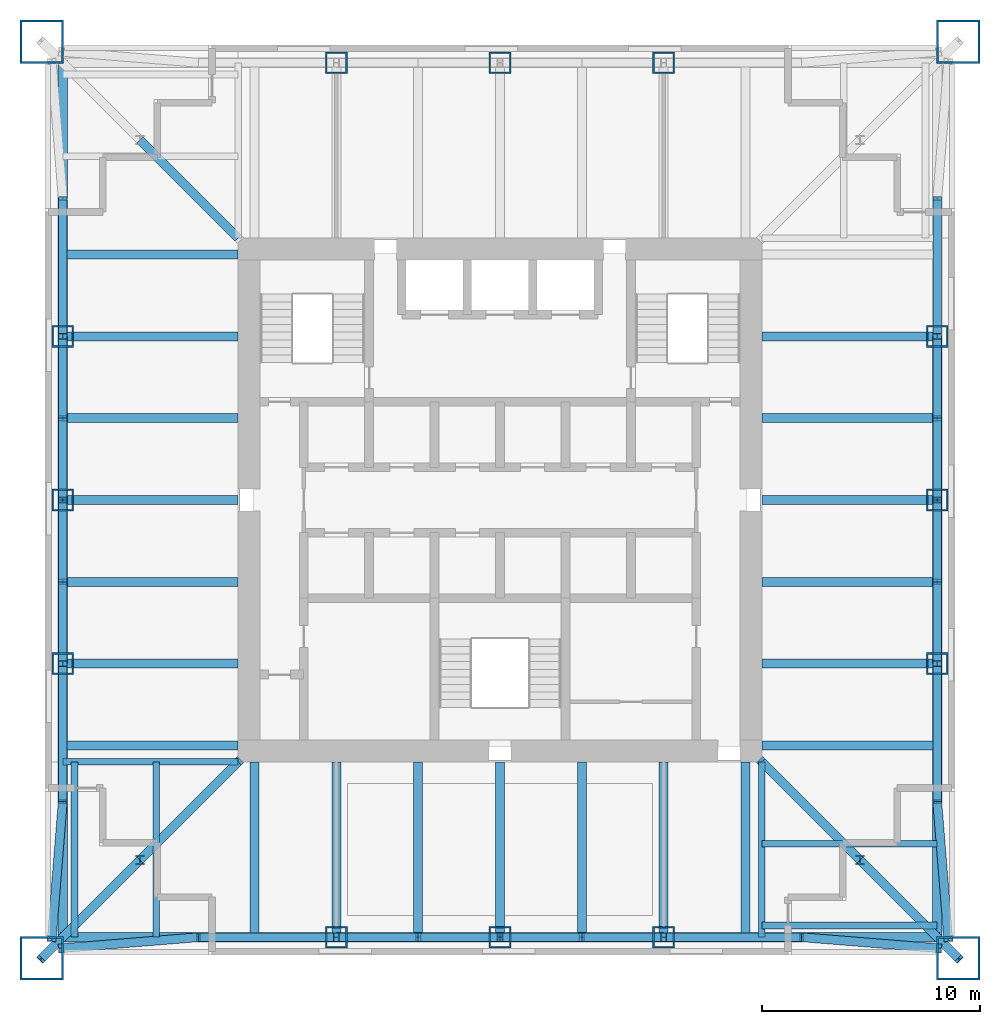
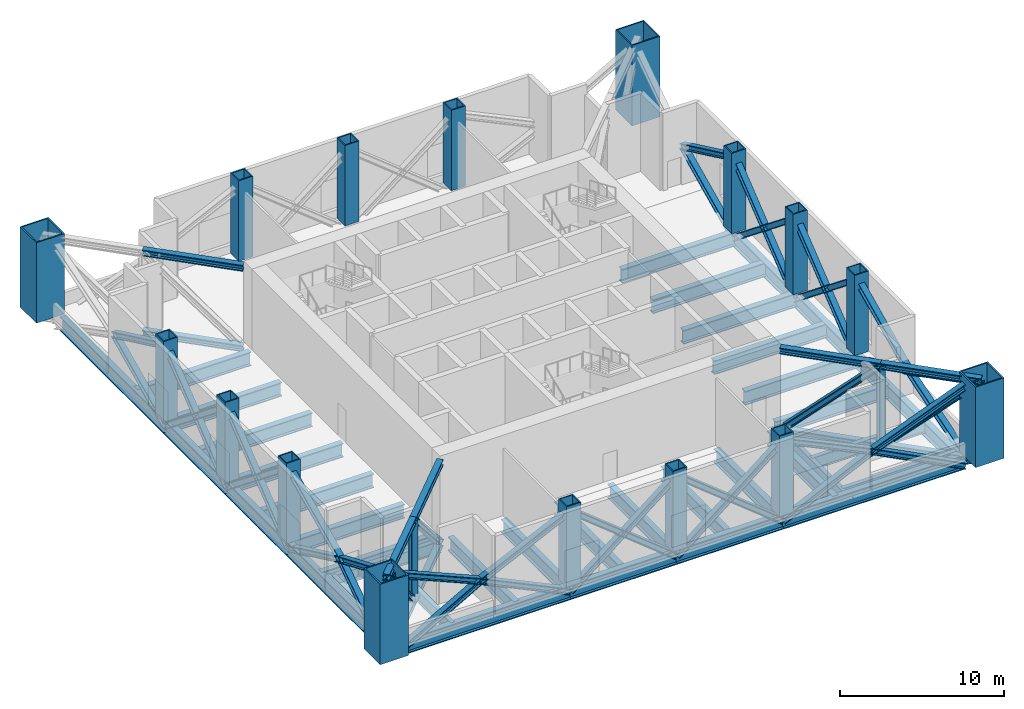
# One storey, part 1 of 7: 60 members, 37 beams, 16 columns.
"""IFC4 building model written with IfcOpenShell, lengths in metres."""

from ifc_helpers import new_model, si_unit, direction, frame, origin, origin_2d, place, context, subcontext, project, spatial, hollow_rectangle, i_section, extrude, material, material_profile, profile_set, type_object, element, save


model = new_model("IFC4")

# Units and contexts
model_context = context("Model", 3, precision=1e-05, world=origin(), true_north=direction((0.0, 1.0)))
body_context = subcontext(model_context, "Body", "Model", "MODEL_VIEW")
ifc_project = project(units=[si_unit("LENGTHUNIT", "METRE"), si_unit("AREAUNIT", "SQUARE_METRE"), si_unit("VOLUMEUNIT", "CUBIC_METRE"), si_unit("PLANEANGLEUNIT", "RADIAN"), si_unit("MASSUNIT", "GRAM", prefix="KILO")], contexts=[model_context])

# Site, building, storey
site_placement = place(None, origin())
site = spatial("IfcSite", under=ifc_project, at=site_placement, CompositionType="ELEMENT")
building_placement = place(site_placement, origin())
building = spatial("IfcBuilding", under=site, at=building_placement, Name="Tarangal Relay Tower", CompositionType="ELEMENT")
storey_placement = place(building_placement, frame((0.0, 0.0, 335.89990234375)))
storey = spatial("IfcBuildingStorey", under=building, at=storey_placement, Name="L75", CompositionType="ELEMENT", Elevation=335.89990234375)

# Columns
ifc_material_1 = material(Name="Steel ASTM A572 Grade 50", Category="steel")
ifc_material_profile_1 = material_profile(ifc_material_1, hollow_rectangle(XDim=2.0, YDim=2.0, WallThickness=0.094970703125, at=origin_2d()), Name="BOX2000X2000X95")
ifc_profile_set_1 = profile_set([ifc_material_profile_1], Name="Steel ASTM A572 Grade 50")
column_type_1 = type_object("IfcColumnType", Name="Mega column BOX2000X2000X95", PredefinedType="COLUMN", material=ifc_profile_set_1)
for number, where, z_axis, x_axis, name in (
    (1, (21.0, 21.0, 0.0), (0.0, 0.0, 1.0), (1.0, 0.0, 0.0), "Mega column MC4 NE L75"),
    (2, (21.0, -21.0, 0.0), (0.0, 0.0, 1.0), (1.0, 0.0, 0.0), "Mega column MC4 SE L75"),
    (3, (-21.0, -21.0, 0.0), (0.0, 0.0, 1.0), (1.0, 0.0, 0.0), "Mega column MC4 SW L75"),
    (4, (-21.0, 21.0, 0.0), (0.0, 0.0, 1.0), (1.0, 0.0, 0.0), "Mega column MC4 NW L75"),
):
    element("IfcColumn", number, at=place(storey_placement, frame(where, z_axis=z_axis, x_axis=x_axis)), inside=storey, type_object=column_type_1, Name=name, PredefinedType="COLUMN", context=body_context, shape_type="SweptSolid", body=[
        extrude(hollow_rectangle(XDim=2.0, YDim=2.0, WallThickness=0.094970703125, at=origin_2d()), origin(), (0.0, 0.0, 1.0), 6.0),
    ])
ifc_material_profile_2 = material_profile(ifc_material_1, hollow_rectangle(XDim=1.0, YDim=1.0, WallThickness=0.074951171875, at=origin_2d()), Name="BOX1000X1000X75")
ifc_profile_set_2 = profile_set([ifc_material_profile_2], Name="Steel ASTM A572 Grade 50")
column_type_2 = type_object("IfcColumnType", Name="Perimeter column BOX1000X1000X75", PredefinedType="COLUMN", material=ifc_profile_set_2)
for number, where, z_axis, x_axis, name in (
    (5, (-7.5, 20.0400390625, 0.0), (0.0, 0.0, 1.0), (1.0, 0.0, 0.0), "Perimeter column PC5 N L75"),
    (6, (0.0, 20.0400390625, 0.0), (0.0, 0.0, 1.0), (1.0, 0.0, 0.0), "Perimeter column PC5 N L75"),
    (7, (7.5, 20.0400390625, 0.0), (0.0, 0.0, 1.0), (1.0, 0.0, 0.0), "Perimeter column PC5 N L75"),
    (8, (20.0400390625, 7.5, 0.0), (0.0, 0.0, 1.0), (1.0, 0.0, 0.0), "Perimeter column PC5 E L75"),
    (9, (20.0400390625, 0.0, 0.0), (0.0, 0.0, 1.0), (1.0, 0.0, 0.0), "Perimeter column PC5 E L75"),
    (10, (20.0400390625, -7.5, 0.0), (0.0, 0.0, 1.0), (1.0, 0.0, 0.0), "Perimeter column PC5 E L75"),
    (11, (7.5, -20.0400390625, 0.0), (0.0, 0.0, 1.0), (1.0, 0.0, 0.0), "Perimeter column PC5 S L75"),
    (12, (0.0, -20.0400390625, 0.0), (0.0, 0.0, 1.0), (1.0, 0.0, 0.0), "Perimeter column PC5 S L75"),
    (13, (-7.5, -20.0400390625, 0.0), (0.0, 0.0, 1.0), (1.0, 0.0, 0.0), "Perimeter column PC5 S L75"),
    (14, (-20.0400390625, -7.5, 0.0), (0.0, 0.0, 1.0), (1.0, 0.0, 0.0), "Perimeter column PC5 W L75"),
    (15, (-20.0400390625, 0.0, 0.0), (0.0, 0.0, 1.0), (1.0, 0.0, 0.0), "Perimeter column PC5 W L75"),
    (16, (-20.0400390625, 7.5, 0.0), (0.0, 0.0, 1.0), (1.0, 0.0, 0.0), "Perimeter column PC5 W L75"),
):
    element("IfcColumn", number, at=place(storey_placement, frame(where, z_axis=z_axis, x_axis=x_axis)), inside=storey, type_object=column_type_2, Name=name, PredefinedType="COLUMN", context=body_context, shape_type="SweptSolid", body=[
        extrude(hollow_rectangle(XDim=1.0, YDim=1.0, WallThickness=0.074951171875, at=origin_2d()), origin(), (0.0, 0.0, 1.0), 6.0),
    ])

# Members
ifc_material_2 = material(Name="Steel ASTM A992", Category="steel")
ifc_material_profile_3 = material_profile(ifc_material_2, i_section(OverallWidth=0.408935546875, OverallDepth=0.42431640625, WebThickness=0.03271484375, FlangeThickness=0.052490234375, at=origin_2d()), Name="W14X283")
ifc_profile_set_3 = profile_set([ifc_material_profile_3], Name="Steel ASTM A992")
member_type_1 = type_object("IfcMemberType", Name="Belt truss brace W14X283", PredefinedType="BRACE", material=ifc_profile_set_3)
for number, where, z_axis, x_axis, name in (
    (17, (20.0400390625, 13.824951171875, 2.265380859375), (0.0, -0.903518288884, 0.42854953232), (1.0, 0.0, 0.0), "Belt truss BT4 E L75"),
    (18, (20.0400390625, 7.5, -0.734619140625), (0.0, 0.903518288884, 0.42854953232), (-1.0, 0.0, 0.0), "Belt truss BT4 E L75"),
):
    element("IfcMember", number, at=place(storey_placement, frame(where, z_axis=z_axis, x_axis=x_axis)), inside=storey, type_object=member_type_1, Name=name, PredefinedType="BRACE", context=body_context, shape_type="SweptSolid", body=[
        extrude(i_section(OverallWidth=0.408935546875, OverallDepth=0.42431640625, WebThickness=0.03271484375, FlangeThickness=0.052490234375, at=origin_2d()), origin(), (0.0, 0.0, 1.0), 7.000244140625),
    ])
for number, where, z_axis, x_axis, name in (
    (19, (20.0400390625, 7.5, -0.734619140625), (0.0, -0.780868809443, 0.624695047554), (1.0, 0.0, 0.0), "Belt truss BT4 E L75"),
    (20, (20.0400390625, 3.75, 2.265380859375), (0.0, -0.780868809443, 0.624695047554), (1.0, 0.0, 0.0), "Belt truss BT4 E L75"),
    (21, (20.0400390625, 0.0, -0.734619140625), (0.0, 0.780868809443, 0.624695047554), (-1.0, 0.0, 0.0), "Belt truss BT4 E L75"),
    (22, (20.0400390625, 3.75, 2.265380859375), (0.0, 0.780868809443, 0.624695047554), (-1.0, 0.0, 0.0), "Belt truss BT4 E L75"),
    (23, (20.0400390625, 0.0, -0.734619140625), (0.0, -0.780868809443, 0.624695047554), (1.0, 0.0, 0.0), "Belt truss BT4 E L75"),
    (24, (20.0400390625, -3.75, 2.265380859375), (0.0, -0.780868809443, 0.624695047554), (1.0, 0.0, 0.0), "Belt truss BT4 E L75"),
    (25, (20.0400390625, -7.5, -0.734619140625), (0.0, 0.780868809443, 0.624695047554), (-1.0, 0.0, 0.0), "Belt truss BT4 E L75"),
    (26, (20.0400390625, -3.75, 2.265380859375), (0.0, 0.780868809443, 0.624695047554), (-1.0, 0.0, 0.0), "Belt truss BT4 E L75"),
):
    element("IfcMember", number, at=place(storey_placement, frame(where, z_axis=z_axis, x_axis=x_axis)), inside=storey, type_object=member_type_1, Name=name, PredefinedType="BRACE", context=body_context, shape_type="SweptSolid", body=[
        extrude(i_section(OverallWidth=0.408935546875, OverallDepth=0.42431640625, WebThickness=0.03271484375, FlangeThickness=0.052490234375, at=origin_2d()), origin(), (0.0, 0.0, 1.0), 4.80224609375),
    ])
member_1_placement = place(storey_placement, frame((20.0400390625, -7.5, -0.734619140625), z_axis=(0.0, -0.903518288884, 0.42854953232), x_axis=(1.0, 0.0, 0.0)))
element("IfcMember", 27, at=member_1_placement, inside=storey, type_object=member_type_1, Name="Belt truss BT4 E L75", PredefinedType="BRACE", context=body_context, shape_type="SweptSolid", body=[
    extrude(i_section(OverallWidth=0.408935546875, OverallDepth=0.42431640625, WebThickness=0.03271484375, FlangeThickness=0.052490234375, at=origin_2d()), origin(), (0.0, 0.0, 1.0), 7.000244140625),
])
for number, where, z_axis, x_axis, name in (
    (28, (20.0400390625, -13.824951171875, 2.265380859375), (0.072662231551, -0.901129934321, 0.427416707181), (0.996764800227, 0.08037370856, 0.0), "Belt truss BT4 E L75"),
    (29, (20.550048828125, -20.14990234375, -0.734619140625), (-0.072662231551, 0.901129934321, 0.427416707181), (-0.996764800227, -0.08037370856, 0.0), "Belt truss BT4 E L75"),
):
    element("IfcMember", number, at=place(storey_placement, frame(where, z_axis=z_axis, x_axis=x_axis)), inside=storey, type_object=member_type_1, Name=name, PredefinedType="BRACE", context=body_context, shape_type="SweptSolid", body=[
        extrude(i_section(OverallWidth=0.408935546875, OverallDepth=0.42431640625, WebThickness=0.03271484375, FlangeThickness=0.052490234375, at=origin_2d()), origin(), (0.0, 0.0, 1.0), 7.018798828125),
    ])
member_2_placement = place(storey_placement, frame((20.0400390625, -13.824951171875, 2.265380859375), z_axis=(0.0, 0.903518288884, 0.42854953232), x_axis=(-1.0, 0.0, 0.0)))
element("IfcMember", 30, at=member_2_placement, inside=storey, type_object=member_type_1, Name="Belt truss BT4 E L75", PredefinedType="BRACE", context=body_context, shape_type="SweptSolid", body=[
    extrude(i_section(OverallWidth=0.408935546875, OverallDepth=0.42431640625, WebThickness=0.03271484375, FlangeThickness=0.052490234375, at=origin_2d()), origin(), (0.0, 0.0, 1.0), 7.000244140625),
])
member_3_placement = place(storey_placement, frame((20.14990234375, -20.550048828125, -0.734619140625), z_axis=(-0.901129934321, 0.072662231551, 0.427416707181), x_axis=(-0.08037370856, -0.996764800227, 0.0)))
element("IfcMember", 31, at=member_3_placement, inside=storey, type_object=member_type_1, Name="Belt truss BT4 S L75", PredefinedType="BRACE", context=body_context, shape_type="SweptSolid", body=[
    extrude(i_section(OverallWidth=0.408935546875, OverallDepth=0.42431640625, WebThickness=0.03271484375, FlangeThickness=0.052490234375, at=origin_2d()), origin(), (0.0, 0.0, 1.0), 7.018798828125),
])
for number, where, z_axis, x_axis, name in (
    (32, (13.824951171875, -20.0400390625, 2.265380859375), (-0.903518288884, 0.0, 0.42854953232), (0.0, -1.0, 0.0), "Belt truss BT4 S L75"),
    (33, (7.5, -20.0400390625, -0.734619140625), (0.903518288884, 0.0, 0.42854953232), (0.0, 1.0, 0.0), "Belt truss BT4 S L75"),
):
    element("IfcMember", number, at=place(storey_placement, frame(where, z_axis=z_axis, x_axis=x_axis)), inside=storey, type_object=member_type_1, Name=name, PredefinedType="BRACE", context=body_context, shape_type="SweptSolid", body=[
        extrude(i_section(OverallWidth=0.408935546875, OverallDepth=0.42431640625, WebThickness=0.03271484375, FlangeThickness=0.052490234375, at=origin_2d()), origin(), (0.0, 0.0, 1.0), 7.000244140625),
    ])
member_4_placement = place(storey_placement, frame((13.824951171875, -20.0400390625, 2.265380859375), z_axis=(0.901129934321, -0.072662231551, 0.427416707181), x_axis=(0.08037370856, 0.996764800227, 0.0)))
element("IfcMember", 34, at=member_4_placement, inside=storey, type_object=member_type_1, Name="Belt truss BT4 S L75", PredefinedType="BRACE", context=body_context, shape_type="SweptSolid", body=[
    extrude(i_section(OverallWidth=0.408935546875, OverallDepth=0.42431640625, WebThickness=0.03271484375, FlangeThickness=0.052490234375, at=origin_2d()), origin(), (0.0, 0.0, 1.0), 7.018798828125),
])
for number, where, z_axis, x_axis, name in (
    (35, (7.5, -20.0400390625, -0.734619140625), (-0.780868809443, 0.0, 0.624695047554), (0.0, -1.0, 0.0), "Belt truss BT4 S L75"),
    (36, (3.75, -20.0400390625, 2.265380859375), (-0.780868809443, 0.0, 0.624695047554), (0.0, -1.0, 0.0), "Belt truss BT4 S L75"),
    (37, (0.0, -20.0400390625, -0.734619140625), (0.780868809443, 0.0, 0.624695047554), (0.0, 1.0, 0.0), "Belt truss BT4 S L75"),
    (38, (3.75, -20.0400390625, 2.265380859375), (0.780868809443, 0.0, 0.624695047554), (0.0, 1.0, 0.0), "Belt truss BT4 S L75"),
    (39, (0.0, -20.0400390625, -0.734619140625), (-0.780868809443, 0.0, 0.624695047554), (0.0, -1.0, 0.0), "Belt truss BT4 S L75"),
    (40, (-3.75, -20.0400390625, 2.265380859375), (-0.780868809443, 0.0, 0.624695047554), (0.0, -1.0, 0.0), "Belt truss BT4 S L75"),
    (41, (-7.5, -20.0400390625, -0.734619140625), (0.780868809443, 0.0, 0.624695047554), (0.0, 1.0, 0.0), "Belt truss BT4 S L75"),
    (42, (-3.75, -20.0400390625, 2.265380859375), (0.780868809443, 0.0, 0.624695047554), (0.0, 1.0, 0.0), "Belt truss BT4 S L75"),
):
    element("IfcMember", number, at=place(storey_placement, frame(where, z_axis=z_axis, x_axis=x_axis)), inside=storey, type_object=member_type_1, Name=name, PredefinedType="BRACE", context=body_context, shape_type="SweptSolid", body=[
        extrude(i_section(OverallWidth=0.408935546875, OverallDepth=0.42431640625, WebThickness=0.03271484375, FlangeThickness=0.052490234375, at=origin_2d()), origin(), (0.0, 0.0, 1.0), 4.80224609375),
    ])
member_5_placement = place(storey_placement, frame((-7.5, -20.0400390625, -0.734619140625), z_axis=(-0.903518288884, 0.0, 0.42854953232), x_axis=(0.0, -1.0, 0.0)))
element("IfcMember", 43, at=member_5_placement, inside=storey, type_object=member_type_1, Name="Belt truss BT4 S L75", PredefinedType="BRACE", context=body_context, shape_type="SweptSolid", body=[
    extrude(i_section(OverallWidth=0.408935546875, OverallDepth=0.42431640625, WebThickness=0.03271484375, FlangeThickness=0.052490234375, at=origin_2d()), origin(), (0.0, 0.0, 1.0), 7.000244140625),
])
for number, where, z_axis, x_axis, name in (
    (44, (-13.824951171875, -20.0400390625, 2.265380859375), (-0.901129934321, -0.072662231551, 0.427416707181), (0.08037370856, -0.996764800227, 0.0), "Belt truss BT4 S L75"),
    (45, (-20.14990234375, -20.550048828125, -0.734619140625), (0.901129934321, 0.072662231551, 0.427416707181), (-0.08037370856, 0.996764800227, 0.0), "Belt truss BT4 S L75"),
):
    element("IfcMember", number, at=place(storey_placement, frame(where, z_axis=z_axis, x_axis=x_axis)), inside=storey, type_object=member_type_1, Name=name, PredefinedType="BRACE", context=body_context, shape_type="SweptSolid", body=[
        extrude(i_section(OverallWidth=0.408935546875, OverallDepth=0.42431640625, WebThickness=0.03271484375, FlangeThickness=0.052490234375, at=origin_2d()), origin(), (0.0, 0.0, 1.0), 7.018798828125),
    ])
member_6_placement = place(storey_placement, frame((-13.824951171875, -20.0400390625, 2.265380859375), z_axis=(0.903518288884, 0.0, 0.42854953232), x_axis=(0.0, 1.0, 0.0)))
element("IfcMember", 46, at=member_6_placement, inside=storey, type_object=member_type_1, Name="Belt truss BT4 S L75", PredefinedType="BRACE", context=body_context, shape_type="SweptSolid", body=[
    extrude(i_section(OverallWidth=0.408935546875, OverallDepth=0.42431640625, WebThickness=0.03271484375, FlangeThickness=0.052490234375, at=origin_2d()), origin(), (0.0, 0.0, 1.0), 7.000244140625),
])
member_7_placement = place(storey_placement, frame((-20.550048828125, -20.14990234375, -0.734619140625), z_axis=(0.072662231551, 0.901129934321, 0.427416707181), x_axis=(-0.996764800227, 0.08037370856, 0.0)))
element("IfcMember", 47, at=member_7_placement, inside=storey, type_object=member_type_1, Name="Belt truss BT4 W L75", PredefinedType="BRACE", context=body_context, shape_type="SweptSolid", body=[
    extrude(i_section(OverallWidth=0.408935546875, OverallDepth=0.42431640625, WebThickness=0.03271484375, FlangeThickness=0.052490234375, at=origin_2d()), origin(), (0.0, 0.0, 1.0), 7.018798828125),
])
for number, where, z_axis, x_axis, name in (
    (48, (-20.0400390625, -13.824951171875, 2.265380859375), (0.0, 0.903518288884, 0.42854953232), (-1.0, 0.0, 0.0), "Belt truss BT4 W L75"),
    (49, (-20.0400390625, -7.5, -0.734619140625), (0.0, -0.903518288884, 0.42854953232), (1.0, 0.0, 0.0), "Belt truss BT4 W L75"),
):
    element("IfcMember", number, at=place(storey_placement, frame(where, z_axis=z_axis, x_axis=x_axis)), inside=storey, type_object=member_type_1, Name=name, PredefinedType="BRACE", context=body_context, shape_type="SweptSolid", body=[
        extrude(i_section(OverallWidth=0.408935546875, OverallDepth=0.42431640625, WebThickness=0.03271484375, FlangeThickness=0.052490234375, at=origin_2d()), origin(), (0.0, 0.0, 1.0), 7.000244140625),
    ])
member_8_placement = place(storey_placement, frame((-20.0400390625, -13.824951171875, 2.265380859375), z_axis=(-0.072662231551, -0.901129934321, 0.427416707181), x_axis=(0.996764800227, -0.08037370856, 0.0)))
element("IfcMember", 50, at=member_8_placement, inside=storey, type_object=member_type_1, Name="Belt truss BT4 W L75", PredefinedType="BRACE", context=body_context, shape_type="SweptSolid", body=[
    extrude(i_section(OverallWidth=0.408935546875, OverallDepth=0.42431640625, WebThickness=0.03271484375, FlangeThickness=0.052490234375, at=origin_2d()), origin(), (0.0, 0.0, 1.0), 7.018798828125),
])
for number, where, z_axis, x_axis, name in (
    (51, (-20.0400390625, -7.5, -0.734619140625), (0.0, 0.780868809443, 0.624695047554), (-1.0, 0.0, 0.0), "Belt truss BT4 W L75"),
    (52, (-20.0400390625, -3.75, 2.265380859375), (0.0, 0.780868809443, 0.624695047554), (-1.0, 0.0, 0.0), "Belt truss BT4 W L75"),
    (53, (-20.0400390625, 0.0, -0.734619140625), (0.0, -0.780868809443, 0.624695047554), (1.0, 0.0, 0.0), "Belt truss BT4 W L75"),
    (54, (-20.0400390625, -3.75, 2.265380859375), (0.0, -0.780868809443, 0.624695047554), (1.0, 0.0, 0.0), "Belt truss BT4 W L75"),
    (55, (-20.0400390625, 0.0, -0.734619140625), (0.0, 0.780868809443, 0.624695047554), (-1.0, 0.0, 0.0), "Belt truss BT4 W L75"),
    (56, (-20.0400390625, 3.75, 2.265380859375), (0.0, 0.780868809443, 0.624695047554), (-1.0, 0.0, 0.0), "Belt truss BT4 W L75"),
    (57, (-20.0400390625, 7.5, -0.734619140625), (0.0, -0.780868809443, 0.624695047554), (1.0, 0.0, 0.0), "Belt truss BT4 W L75"),
    (58, (-20.0400390625, 3.75, 2.265380859375), (0.0, -0.780868809443, 0.624695047554), (1.0, 0.0, 0.0), "Belt truss BT4 W L75"),
):
    element("IfcMember", number, at=place(storey_placement, frame(where, z_axis=z_axis, x_axis=x_axis)), inside=storey, type_object=member_type_1, Name=name, PredefinedType="BRACE", context=body_context, shape_type="SweptSolid", body=[
        extrude(i_section(OverallWidth=0.408935546875, OverallDepth=0.42431640625, WebThickness=0.03271484375, FlangeThickness=0.052490234375, at=origin_2d()), origin(), (0.0, 0.0, 1.0), 4.80224609375),
    ])
for number, where, z_axis, x_axis, name in (
    (59, (-20.0400390625, 7.5, -0.734619140625), (0.0, 0.903518288884, 0.42854953232), (-1.0, 0.0, 0.0), "Belt truss BT4 W L75"),
    (60, (-20.0400390625, 13.824951171875, 2.265380859375), (0.0, -0.903518288884, 0.42854953232), (1.0, 0.0, 0.0), "Belt truss BT4 W L75"),
):
    element("IfcMember", number, at=place(storey_placement, frame(where, z_axis=z_axis, x_axis=x_axis)), inside=storey, type_object=member_type_1, Name=name, PredefinedType="BRACE", context=body_context, shape_type="SweptSolid", body=[
        extrude(i_section(OverallWidth=0.408935546875, OverallDepth=0.42431640625, WebThickness=0.03271484375, FlangeThickness=0.052490234375, at=origin_2d()), origin(), (0.0, 0.0, 1.0), 7.000244140625),
    ])

# Beams
ifc_material_profile_4 = material_profile(ifc_material_2, i_section(OverallWidth=0.3046875, OverallDepth=0.911865234375, WebThickness=0.015869140625, FlangeThickness=0.02392578125, at=origin_2d()), Name="W36X150")
ifc_profile_set_4 = profile_set([ifc_material_profile_4], Name="Steel ASTM A992")
beam_type_1 = type_object("IfcBeamType", Name="Corner beam W36X150", PredefinedType="JOIST", material=ifc_profile_set_4)
for number, where, z_axis, x_axis, name in (
    (61, (12.0, -15.75, -0.65576171875), (1.0, 0.0, 0.0), (0.0, 1.0, 0.0), "Corner beam CB7 E L75"),
    (62, (12.0, -19.5, -0.65576171875), (1.0, 0.0, 0.0), (0.0, 1.0, 0.0), "Corner beam CB7 E L75"),
    (63, (-15.75, -12.0, -0.65576171875), (0.0, -1.0, 0.0), (1.0, 0.0, 0.0), "Corner beam CB7 S L75"),
    (64, (-19.5, -12.0, -0.65576171875), (0.0, -1.0, 0.0), (1.0, 0.0, 0.0), "Corner beam CB7 S L75"),
):
    element("IfcBeam", number, at=place(storey_placement, frame(where, z_axis=z_axis, x_axis=x_axis)), inside=storey, type_object=beam_type_1, Name=name, PredefinedType="JOIST", context=body_context, shape_type="SweptSolid", body=[
        extrude(i_section(OverallWidth=0.3046875, OverallDepth=0.911865234375, WebThickness=0.015869140625, FlangeThickness=0.02392578125, at=origin_2d()), origin(), (0.0, 0.0, 1.0), 8.0400390625),
    ])
ifc_material_profile_5 = material_profile(ifc_material_2, i_section(OverallWidth=0.307373046875, OverallDepth=0.927001953125, WebThickness=0.019287109375, FlangeThickness=0.031982421875, at=origin_2d()), Name="W36X194")
ifc_profile_set_5 = profile_set([ifc_material_profile_5], Name="Steel ASTM A992")
beam_type_2 = type_object("IfcBeamType", Name="Corner girder W36X194", PredefinedType="BEAM", material=ifc_profile_set_5)
for number, where, z_axis, x_axis, name in (
    (65, (12.0, -12.0, -0.66357421875), (0.0, -1.0, 0.0), (1.0, 0.0, 0.0), "Corner girder CG6 E L75"),
    (66, (-12.0, -12.0, -0.66357421875), (-1.0, 0.0, 0.0), (0.0, -1.0, 0.0), "Corner girder CG6 S L75"),
):
    element("IfcBeam", number, at=place(storey_placement, frame(where, z_axis=z_axis, x_axis=x_axis)), inside=storey, type_object=beam_type_2, Name=name, PredefinedType="BEAM", context=body_context, shape_type="SweptSolid", body=[
        extrude(i_section(OverallWidth=0.307373046875, OverallDepth=0.927001953125, WebThickness=0.019287109375, FlangeThickness=0.031982421875, at=origin_2d()), origin(), (0.0, 0.0, 1.0), 8.0400390625),
    ])
ifc_material_profile_6 = material_profile(ifc_material_2, i_section(OverallWidth=0.41650390625, OverallDepth=1.0693359375, WebThickness=0.0390625, FlangeThickness=0.070068359375, at=origin_2d()), Name="W40X503")
ifc_profile_set_6 = profile_set([ifc_material_profile_6], Name="Steel ASTM A992")
beam_type_3 = type_object("IfcBeamType", Name="Edge girder W40X503", PredefinedType="SPANDREL", material=ifc_profile_set_6)
for number, where, z_axis, x_axis, name in (
    (67, (20.0400390625, 7.5, -0.734619140625), (0.0, -1.0, 0.0), (1.0, 0.0, 0.0), "Edge girder EG8 E L75"),
    (68, (20.0400390625, 0.0, -0.734619140625), (0.0, -1.0, 0.0), (1.0, 0.0, 0.0), "Edge girder EG8 E L75"),
):
    element("IfcBeam", number, at=place(storey_placement, frame(where, z_axis=z_axis, x_axis=x_axis)), inside=storey, type_object=beam_type_3, Name=name, PredefinedType="SPANDREL", context=body_context, shape_type="SweptSolid", body=[
        extrude(i_section(OverallWidth=0.41650390625, OverallDepth=1.0693359375, WebThickness=0.0390625, FlangeThickness=0.070068359375, at=origin_2d()), origin(), (0.0, 0.0, 1.0), 7.5),
    ])
for number, where, z_axis, x_axis, name in (
    (69, (20.0400390625, -7.5, -0.734619140625), (0.0, -1.0, 0.0), (1.0, 0.0, 0.0), "Edge girder EG8 E L75"),
    (70, (20.14990234375, -20.0400390625, -0.734619140625), (-1.0, 0.0, 0.0), (0.0, -1.0, 0.0), "Edge girder EG8 S L75"),
):
    element("IfcBeam", number, at=place(storey_placement, frame(where, z_axis=z_axis, x_axis=x_axis)), inside=storey, type_object=beam_type_3, Name=name, PredefinedType="SPANDREL", context=body_context, shape_type="SweptSolid", body=[
        extrude(i_section(OverallWidth=0.41650390625, OverallDepth=1.0693359375, WebThickness=0.0390625, FlangeThickness=0.070068359375, at=origin_2d()), origin(), (0.0, 0.0, 1.0), 12.64990234375),
    ])
for number, where, z_axis, x_axis, name in (
    (71, (7.5, -20.0400390625, -0.734619140625), (-1.0, 0.0, 0.0), (0.0, -1.0, 0.0), "Edge girder EG8 S L75"),
    (72, (0.0, -20.0400390625, -0.734619140625), (-1.0, 0.0, 0.0), (0.0, -1.0, 0.0), "Edge girder EG8 S L75"),
):
    element("IfcBeam", number, at=place(storey_placement, frame(where, z_axis=z_axis, x_axis=x_axis)), inside=storey, type_object=beam_type_3, Name=name, PredefinedType="SPANDREL", context=body_context, shape_type="SweptSolid", body=[
        extrude(i_section(OverallWidth=0.41650390625, OverallDepth=1.0693359375, WebThickness=0.0390625, FlangeThickness=0.070068359375, at=origin_2d()), origin(), (0.0, 0.0, 1.0), 7.5),
    ])
for number, where, z_axis, x_axis, name in (
    (73, (-7.5, -20.0400390625, -0.734619140625), (-1.0, 0.0, 0.0), (0.0, -1.0, 0.0), "Edge girder EG8 S L75"),
    (74, (-20.0400390625, -20.14990234375, -0.734619140625), (0.0, 1.0, 0.0), (-1.0, 0.0, 0.0), "Edge girder EG8 W L75"),
):
    element("IfcBeam", number, at=place(storey_placement, frame(where, z_axis=z_axis, x_axis=x_axis)), inside=storey, type_object=beam_type_3, Name=name, PredefinedType="SPANDREL", context=body_context, shape_type="SweptSolid", body=[
        extrude(i_section(OverallWidth=0.41650390625, OverallDepth=1.0693359375, WebThickness=0.0390625, FlangeThickness=0.070068359375, at=origin_2d()), origin(), (0.0, 0.0, 1.0), 12.64990234375),
    ])
for number, where, z_axis, x_axis, name in (
    (75, (-20.0400390625, -7.5, -0.734619140625), (0.0, 1.0, 0.0), (-1.0, 0.0, 0.0), "Edge girder EG8 W L75"),
    (76, (-20.0400390625, 0.0, -0.734619140625), (0.0, 1.0, 0.0), (-1.0, 0.0, 0.0), "Edge girder EG8 W L75"),
):
    element("IfcBeam", number, at=place(storey_placement, frame(where, z_axis=z_axis, x_axis=x_axis)), inside=storey, type_object=beam_type_3, Name=name, PredefinedType="SPANDREL", context=body_context, shape_type="SweptSolid", body=[
        extrude(i_section(OverallWidth=0.41650390625, OverallDepth=1.0693359375, WebThickness=0.0390625, FlangeThickness=0.070068359375, at=origin_2d()), origin(), (0.0, 0.0, 1.0), 7.5),
    ])
beam_placement = place(storey_placement, frame((-20.0400390625, 7.5, -0.734619140625), z_axis=(0.0, 1.0, 0.0), x_axis=(-1.0, 0.0, 0.0)))
element("IfcBeam", 77, at=beam_placement, inside=storey, type_object=beam_type_3, Name="Edge girder EG8 W L75", PredefinedType="SPANDREL", context=body_context, shape_type="SweptSolid", body=[
    extrude(i_section(OverallWidth=0.41650390625, OverallDepth=1.0693359375, WebThickness=0.0390625, FlangeThickness=0.070068359375, at=origin_2d()), origin(), (0.0, 0.0, 1.0), 12.64990234375),
])
ifc_material_profile_7 = material_profile(ifc_material_2, i_section(OverallWidth=0.408935546875, OverallDepth=1.03125, WebThickness=0.029541015625, FlangeThickness=0.052001953125, at=origin_2d()), Name="W40X372")
ifc_profile_set_7 = profile_set([ifc_material_profile_7], Name="Steel ASTM A992")
beam_type_4 = type_object("IfcBeamType", Name="Floor beam W40X372", PredefinedType="BEAM", material=ifc_profile_set_7)
for number, where, z_axis, x_axis, name in (
    (78, (12.0, 7.5, -0.715576171875), (1.0, 0.0, 0.0), (0.0, 1.0, 0.0), "Floor beam RB14 E L75"),
    (79, (12.0, 3.75, -0.715576171875), (1.0, 0.0, 0.0), (0.0, 1.0, 0.0), "Floor beam RB14 E L75"),
    (80, (12.0, 0.0, -0.715576171875), (1.0, 0.0, 0.0), (0.0, 1.0, 0.0), "Floor beam RB14 E L75"),
    (81, (12.0, -3.75, -0.715576171875), (1.0, 0.0, 0.0), (0.0, 1.0, 0.0), "Floor beam RB14 E L75"),
    (82, (12.0, -7.5, -0.715576171875), (1.0, 0.0, 0.0), (0.0, 1.0, 0.0), "Floor beam RB14 E L75"),
    (83, (12.0, -11.25, -0.715576171875), (1.0, 0.0, 0.0), (0.0, 1.0, 0.0), "Floor beam RB14 E L75"),
    (84, (11.25, -12.0, -0.715576171875), (0.0, -1.0, 0.0), (1.0, 0.0, 0.0), "Floor beam RB14 S L75"),
    (85, (7.5, -12.0, -0.715576171875), (0.0, -1.0, 0.0), (1.0, 0.0, 0.0), "Floor beam RB14 S L75"),
    (86, (3.75, -12.0, -0.715576171875), (0.0, -1.0, 0.0), (1.0, 0.0, 0.0), "Floor beam RB14 S L75"),
    (87, (0.0, -12.0, -0.715576171875), (0.0, -1.0, 0.0), (1.0, 0.0, 0.0), "Floor beam RB14 S L75"),
    (88, (-3.75, -12.0, -0.715576171875), (0.0, -1.0, 0.0), (1.0, 0.0, 0.0), "Floor beam RB14 S L75"),
    (89, (-7.5, -12.0, -0.715576171875), (0.0, -1.0, 0.0), (1.0, 0.0, 0.0), "Floor beam RB14 S L75"),
    (90, (-11.25, -12.0, -0.715576171875), (0.0, -1.0, 0.0), (1.0, 0.0, 0.0), "Floor beam RB14 S L75"),
    (91, (-12.0, -11.25, -0.715576171875), (-1.0, 0.0, 0.0), (0.0, -1.0, 0.0), "Floor beam RB14 W L75"),
    (92, (-12.0, -7.5, -0.715576171875), (-1.0, 0.0, 0.0), (0.0, -1.0, 0.0), "Floor beam RB14 W L75"),
    (93, (-12.0, -3.75, -0.715576171875), (-1.0, 0.0, 0.0), (0.0, -1.0, 0.0), "Floor beam RB14 W L75"),
    (94, (-12.0, 0.0, -0.715576171875), (-1.0, 0.0, 0.0), (0.0, -1.0, 0.0), "Floor beam RB14 W L75"),
    (95, (-12.0, 3.75, -0.715576171875), (-1.0, 0.0, 0.0), (0.0, -1.0, 0.0), "Floor beam RB14 W L75"),
    (96, (-12.0, 7.5, -0.715576171875), (-1.0, 0.0, 0.0), (0.0, -1.0, 0.0), "Floor beam RB14 W L75"),
    (97, (-12.0, 11.25, -0.715576171875), (-1.0, 0.0, 0.0), (0.0, -1.0, 0.0), "Floor beam RB14 W L75"),
):
    element("IfcBeam", number, at=place(storey_placement, frame(where, z_axis=z_axis, x_axis=x_axis)), inside=storey, type_object=beam_type_4, Name=name, PredefinedType="BEAM", context=body_context, shape_type="SweptSolid", body=[
        extrude(i_section(OverallWidth=0.408935546875, OverallDepth=1.03125, WebThickness=0.029541015625, FlangeThickness=0.052001953125, at=origin_2d()), origin(), (0.0, 0.0, 1.0), 8.0400390625),
    ])

# Members
ifc_material_profile_8 = material_profile(ifc_material_2, i_section(OverallWidth=0.419189453125, OverallDepth=0.45458984375, WebThickness=0.042236328125, FlangeThickness=0.067626953125, at=origin_2d()), Name="W14X370")
ifc_profile_set_8 = profile_set([ifc_material_profile_8], Name="Steel ASTM A992")
member_type_2 = type_object("IfcMemberType", Name="Outrigger chord W14X370", PredefinedType="CHORD", material=ifc_profile_set_8)
for number, where, z_axis, x_axis, name in (
    (98, (12.0, -12.0, -0.42724609375), (0.707106781187, -0.707106781187, 0.0), (0.707106781187, 0.707106781187, 0.0), "Hat outrigger SE L75 bottom chord"),
    (99, (16.5, -16.5, -0.42724609375), (0.707106781187, -0.707106781187, 0.0), (0.707106781187, 0.707106781187, 0.0), "Hat outrigger SE L75 bottom chord"),
    (100, (12.0, -12.0, 5.57275390625), (0.707106781187, -0.707106781187, 0.0), (0.707106781187, 0.707106781187, 0.0), "Hat outrigger SE L75 top chord"),
    (101, (16.5, -16.5, 5.57275390625), (0.707106781187, -0.707106781187, 0.0), (0.707106781187, 0.707106781187, 0.0), "Hat outrigger SE L75 top chord"),
    (102, (-12.0, -12.0, -0.42724609375), (-0.707106781187, -0.707106781187, 0.0), (0.707106781187, -0.707106781187, 0.0), "Hat outrigger SW L75 bottom chord"),
    (103, (-16.5, -16.5, -0.42724609375), (-0.707106781187, -0.707106781187, 0.0), (0.707106781187, -0.707106781187, 0.0), "Hat outrigger SW L75 bottom chord"),
    (104, (-12.0, -12.0, 5.57275390625), (-0.707106781187, -0.707106781187, 0.0), (0.707106781187, -0.707106781187, 0.0), "Hat outrigger SW L75 top chord"),
    (105, (-16.5, -16.5, 5.57275390625), (-0.707106781187, -0.707106781187, 0.0), (0.707106781187, -0.707106781187, 0.0), "Hat outrigger SW L75 top chord"),
    (106, (-12.0, 12.0, -0.42724609375), (-0.707106781187, 0.707106781187, 0.0), (-0.707106781187, -0.707106781187, 0.0), "Hat outrigger NW L75 bottom chord"),
    (107, (-12.0, 12.0, 5.57275390625), (-0.707106781187, 0.707106781187, 0.0), (-0.707106781187, -0.707106781187, 0.0), "Hat outrigger NW L75 top chord"),
):
    element("IfcMember", number, at=place(storey_placement, frame(where, z_axis=z_axis, x_axis=x_axis)), inside=storey, type_object=member_type_2, Name=name, PredefinedType="CHORD", context=body_context, shape_type="SweptSolid", body=[
        extrude(i_section(OverallWidth=0.419189453125, OverallDepth=0.45458984375, WebThickness=0.042236328125, FlangeThickness=0.067626953125, at=origin_2d()), origin(), (0.0, 0.0, 1.0), 6.364013671875),
    ])
ifc_material_profile_9 = material_profile(ifc_material_2, i_section(OverallWidth=0.41162109375, OverallDepth=0.434326171875, WebThickness=0.035888671875, FlangeThickness=0.057373046875, at=origin_2d()), Name="W14X311")
ifc_profile_set_9 = profile_set([ifc_material_profile_9], Name="Steel ASTM A992")
member_type_3 = type_object("IfcMemberType", Name="Outrigger web W14X311", PredefinedType="STRUT", material=ifc_profile_set_9)
member_9_placement = place(storey_placement, frame((16.5, -16.5, -0.42724609375), z_axis=(0.0, 0.0, 1.0), x_axis=(1.0, 0.0, 0.0)))
element("IfcMember", 108, at=member_9_placement, inside=storey, type_object=member_type_3, Name="Hat outrigger SE L75 vertical", PredefinedType="STRUT", context=body_context, shape_type="SweptSolid", body=[
    extrude(i_section(OverallWidth=0.41162109375, OverallDepth=0.434326171875, WebThickness=0.035888671875, FlangeThickness=0.057373046875, at=origin_2d()), origin(), (0.0, 0.0, 1.0), 6.0),
])
for number, where, z_axis, x_axis, name in (
    (109, (12.0, -12.0, -0.42724609375), (0.514495755428, -0.514495755428, 0.68599434057), (0.707106781187, 0.707106781187, 0.0), "Hat outrigger SE L75 diagonal"),
    (110, (16.5, -16.5, -0.42724609375), (0.514495755428, -0.514495755428, 0.68599434057), (0.707106781187, 0.707106781187, 0.0), "Hat outrigger SE L75 diagonal"),
):
    element("IfcMember", number, at=place(storey_placement, frame(where, z_axis=z_axis, x_axis=x_axis)), inside=storey, type_object=member_type_3, Name=name, PredefinedType="STRUT", context=body_context, shape_type="SweptSolid", body=[
        extrude(i_section(OverallWidth=0.41162109375, OverallDepth=0.434326171875, WebThickness=0.035888671875, FlangeThickness=0.057373046875, at=origin_2d()), origin(), (0.0, 0.0, 1.0), 8.746337890625),
    ])
member_10_placement = place(storey_placement, frame((-16.5, -16.5, -0.42724609375), z_axis=(0.0, 0.0, 1.0), x_axis=(1.0, 0.0, 0.0)))
element("IfcMember", 111, at=member_10_placement, inside=storey, type_object=member_type_3, Name="Hat outrigger SW L75 vertical", PredefinedType="STRUT", context=body_context, shape_type="SweptSolid", body=[
    extrude(i_section(OverallWidth=0.41162109375, OverallDepth=0.434326171875, WebThickness=0.035888671875, FlangeThickness=0.057373046875, at=origin_2d()), origin(), (0.0, 0.0, 1.0), 6.0),
])
for number, where, z_axis, x_axis, name in (
    (112, (-12.0, -12.0, -0.42724609375), (-0.514495755428, -0.514495755428, 0.68599434057), (0.707106781187, -0.707106781187, 0.0), "Hat outrigger SW L75 diagonal"),
    (113, (-16.5, -16.5, -0.42724609375), (-0.514495755428, -0.514495755428, 0.68599434057), (0.707106781187, -0.707106781187, 0.0), "Hat outrigger SW L75 diagonal"),
):
    element("IfcMember", number, at=place(storey_placement, frame(where, z_axis=z_axis, x_axis=x_axis)), inside=storey, type_object=member_type_3, Name=name, PredefinedType="STRUT", context=body_context, shape_type="SweptSolid", body=[
        extrude(i_section(OverallWidth=0.41162109375, OverallDepth=0.434326171875, WebThickness=0.035888671875, FlangeThickness=0.057373046875, at=origin_2d()), origin(), (0.0, 0.0, 1.0), 8.746337890625),
    ])

save(model, "model.ifc")
